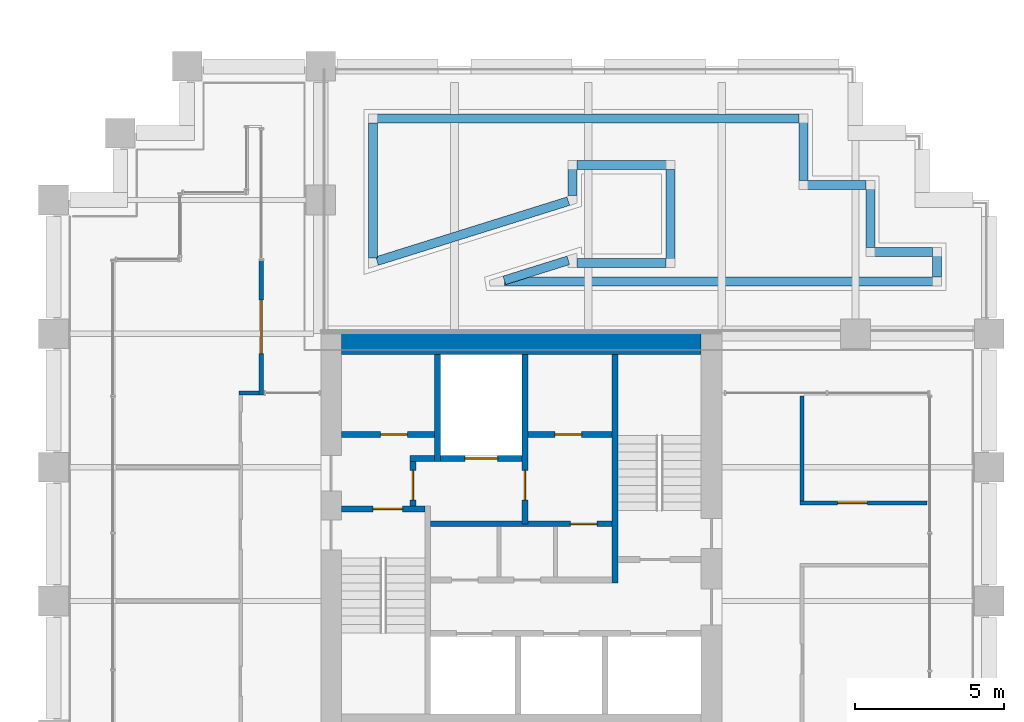
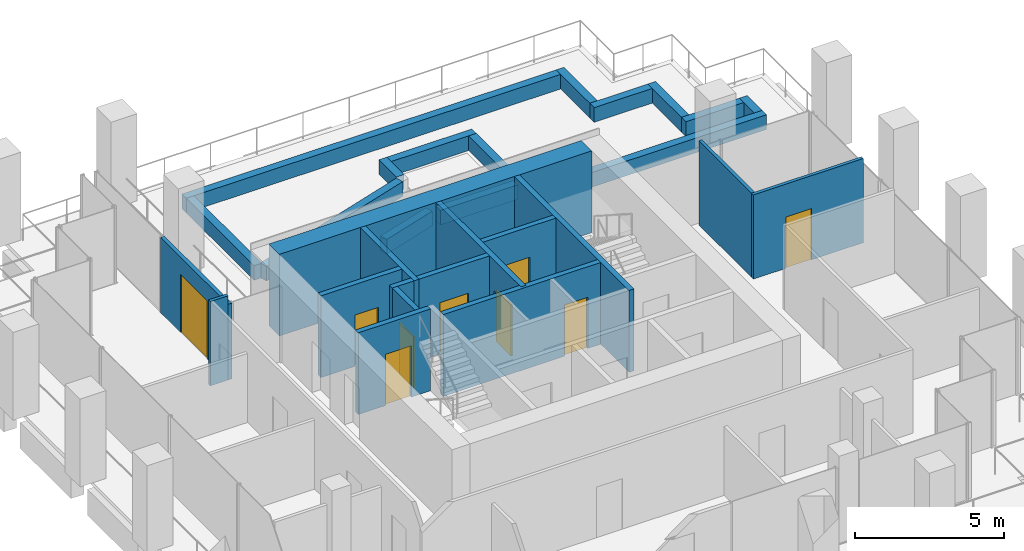
# One storey, part 48 of 52: 29 walls, 9 doors, 9 openings.
"""IFC4 building model written with IfcOpenShell, lengths in metres."""

from ifc_helpers import new_model, si_unit, direction, frame, frame_2d, origin, place, context, subcontext, project, spatial, rectangle, extrude, material, layer, layer_set, type_object, element, fill, save


model = new_model("IFC4")

# Units and contexts
model_context = context("Model", 3, precision=1e-05, world=origin(), true_north=direction((0.0, 1.0)))
body_context = subcontext(model_context, "Body", "Model", "MODEL_VIEW")
ifc_project = project(units=[si_unit("LENGTHUNIT", "METRE"), si_unit("AREAUNIT", "SQUARE_METRE"), si_unit("VOLUMEUNIT", "CUBIC_METRE"), si_unit("PLANEANGLEUNIT", "RADIAN"), si_unit("MASSUNIT", "GRAM", prefix="KILO")], contexts=[model_context])

# Site, building, storey
site_placement = place(None, origin())
site = spatial("IfcSite", under=ifc_project, at=site_placement, CompositionType="ELEMENT")
building_placement = place(site_placement, origin())
building = spatial("IfcBuilding", under=site, at=building_placement, Name="Altepetl Exchange Towers", CompositionType="ELEMENT")
storey_placement = place(building_placement, frame((0.0, 0.0, 92.0)))
storey = spatial("IfcBuildingStorey", under=building, at=storey_placement, Name="L22", CompositionType="ELEMENT", Elevation=92.0)

# Wall
ifc_material_1 = material(Name="Concrete C70/85", Category="concrete")
ifc_layer_1 = layer(ifc_material_1, 0.699951171875)
ifc_layer_set_1 = layer_set([ifc_layer_1], Name="Concrete C70/85")
wall_type_1 = type_object("IfcWallType", Name="Core wall 700 reinforced concrete external", PredefinedType="SHEAR", material=ifc_layer_set_1)
wall_1_placement = place(storey_placement, frame((104.199951171875, 49.14990234375, 0.0)))
element("IfcWall", 1, at=wall_1_placement, inside=storey, type_object=wall_type_1, Name="wall:B:L22:K-coreN", PredefinedType="SHEAR", context=body_context, shape_type="SweptSolid", body=[
    extrude(rectangle(XDim=12.10009765625, YDim=0.699951171875, at=frame_2d((6.050048828125, 0.0))), origin(), (0.0, 0.0, 1.0), 3.35009765625),
])

# Wall, opening, door
ifc_material_2 = material(Name="Aluminium composite cladding", Category="aluminium")
ifc_layer_2 = layer(ifc_material_2, 0.14990234375)
ifc_layer_set_2 = layer_set([ifc_layer_2], Name="Aluminium composite cladding")
wall_type_2 = type_object("IfcWallType", Name="Infill wall 150 aluminium panel", PredefinedType="SOLIDWALL", material=ifc_layer_set_2)
wall_2_placement = place(storey_placement, frame((101.5, 47.4375, 0.0), z_axis=(0.0, 0.0, 1.0), x_axis=(0.0, 1.0, 0.0)))
wall_2 = element("IfcWall", 2, at=wall_2_placement, inside=storey, type_object=wall_type_2, Name="Terrace door bay wall", PredefinedType="SOLIDWALL", context=body_context, shape_type="SweptSolid", body=[
    extrude(rectangle(XDim=4.52490234375, YDim=0.14990234375, at=frame_2d((2.262451171875, 0.0))), origin(), (0.0, 0.0, 1.0), 3.10009765625),
])
opening_1_placement = place(wall_2_placement, frame((1.393798828125, 0.0, 0.0)))
opening_1 = element("IfcOpeningElement", 3, at=opening_1_placement, cuts=wall_2, Name="Opening L22.B92", PredefinedType="OPENING", context=body_context, shape_type="SweptSolid", body=[
    extrude(rectangle(XDim=1.800048828125, YDim=2.39990234375, at=frame_2d((0.89990234375, 1.199951171875))), frame((0.0, 0.0849609375, 0.0), z_axis=(0.0, -1.0, 0.0), x_axis=(1.0, 0.0, 0.0)), (0.0, 0.0, 1.0), 0.169921875),
])
ifc_material_3 = material(Name="Aluminium 6063-T6 and glass", Category="aluminium")
door_type_1 = type_object("IfcDoorType", Name="Glazed door pair 1800x2400", OperationType="DOUBLE_DOOR_DOUBLE_SWING", PredefinedType="NOTDEFINED", material=ifc_material_3)
door_1_placement = place(opening_1_placement, frame((1.800048828125, 0.0, 0.0), x_axis=(-1.0, 0.0, 0.0)))
door_1 = element("IfcDoor", 4, at=door_1_placement, inside=storey, type_object=door_type_1, Name="Terrace door", OperationType="DOUBLE_DOOR_DOUBLE_SWING", OverallHeight=2.39990234375, OverallWidth=1.800048828125, PredefinedType="NOTDEFINED", context=body_context, shape_type="SweptSolid", body=[
    extrude(rectangle(XDim=1.800048828125, YDim=2.39990234375, at=frame_2d((0.89990234375, 1.199951171875))), frame((0.0, 0.02490234375, 0.0), z_axis=(0.0, -1.0, 0.0), x_axis=(1.0, 0.0, 0.0)), (0.0, 0.0, 1.0), 0.050048828125),
])
fill(opening_1, door_1)

# Wall
ifc_material_4 = material(Name="Concrete blockwork", Category="masonry")
ifc_layer_3 = layer(ifc_material_4, 0.199951171875)
ifc_layer_set_3 = layer_set([ifc_layer_3], Name="Concrete blockwork")
wall_type_3 = type_object("IfcWallType", Name="Lobby wall 200 blockwork", PredefinedType="PARTITIONING", material=ifc_layer_set_3)
wall_3_placement = place(storey_placement, frame((106.5, 45.300048828125, 0.0)))
element("IfcWall", 5, at=wall_3_placement, inside=storey, type_object=wall_type_3, Name="wall:B:L22:K-ffNw", PredefinedType="PARTITIONING", context=body_context, shape_type="SweptSolid", body=[
    extrude(rectangle(XDim=0.833251953125, YDim=0.199951171875, at=frame_2d((0.41650390625, 0.0))), origin(), (0.0, 0.0, 1.0), 3.35009765625),
])

# Wall, opening, door
wall_4_placement = place(storey_placement, frame((106.60009765625, 43.699951171875, 0.0), z_axis=(0.0, 0.0, 1.0), x_axis=(0.0, 1.0, 0.0)))
wall_4 = element("IfcWall", 6, at=wall_4_placement, inside=storey, type_object=wall_type_3, Name="wall:B:L22:K-ffW", PredefinedType="PARTITIONING", context=body_context, shape_type="SweptSolid", body=[
    extrude(rectangle(XDim=1.5, YDim=0.199951171875, at=frame_2d((0.75, 0.0))), origin(), (0.0, 0.0, 1.0), 3.35009765625),
])
opening_2_placement = place(wall_4_placement, frame((0.199951171875, 0.0, 0.0)))
opening_2 = element("IfcOpeningElement", 7, at=opening_2_placement, cuts=wall_4, Name="Opening L22.B67", PredefinedType="OPENING", context=body_context, shape_type="SweptSolid", body=[
    extrude(rectangle(XDim=1.0, YDim=2.10009765625, at=frame_2d((0.5, 1.050048828125))), frame((0.0, 0.10986328125, 0.0), z_axis=(0.0, -1.0, 0.0), x_axis=(1.0, 0.0, 0.0)), (0.0, 0.0, 1.0), 0.219970703125),
])
ifc_material_5 = material(Name="Steel and timber fire door", Category="steel")
door_type_2 = type_object("IfcDoorType", Name="Fire door 1000 x 2100 stair and lobby", OperationType="SINGLE_SWING_LEFT", PredefinedType="DOOR", material=ifc_material_5)
door_2_placement = place(opening_2_placement, frame((1.0, 0.0, 0.0), x_axis=(-1.0, 0.0, 0.0)))
door_2 = element("IfcDoor", 8, at=door_2_placement, inside=storey, type_object=door_type_2, Name="door:B:L22:K-dffW", OperationType="SINGLE_SWING_LEFT", OverallHeight=2.10009765625, OverallWidth=1.0, PredefinedType="DOOR", context=body_context, shape_type="SweptSolid", body=[
    extrude(rectangle(XDim=1.0, YDim=2.10009765625, at=frame_2d((0.5, 1.050048828125))), frame((0.0, 0.02490234375, 0.0), z_axis=(0.0, -1.0, 0.0), x_axis=(1.0, 0.0, 0.0)), (0.0, 0.0, 1.0), 0.050048828125),
])
fill(opening_2, door_2)

wall_5_placement = place(storey_placement, frame((107.199951171875, 43.10009765625, 0.0)))
wall_5 = element("IfcWall", 9, at=wall_5_placement, inside=storey, type_object=wall_type_3, Name="wall:B:L22:K-zoneN", PredefinedType="PARTITIONING", context=body_context, shape_type="SweptSolid", body=[
    extrude(rectangle(XDim=6.10009765625, YDim=0.199951171875, at=frame_2d((3.050048828125, 0.0))), origin(), (0.0, 0.0, 1.0), 3.35009765625),
])
opening_3_placement = place(wall_5_placement, frame((4.699951171875, 0.0, 0.0)))
opening_3 = element("IfcOpeningElement", 10, at=opening_3_placement, cuts=wall_5, Name="Opening L22.B72", PredefinedType="OPENING", context=body_context, shape_type="SweptSolid", body=[
    extrude(rectangle(XDim=0.89990234375, YDim=2.10009765625, at=frame_2d((0.449951171875, 1.050048828125))), frame((0.0, 0.10986328125, 0.0), z_axis=(0.0, -1.0, 0.0), x_axis=(1.0, 0.0, 0.0)), (0.0, 0.0, 1.0), 0.219970703125),
])
door_type_3 = type_object("IfcDoorType", Name="Fire door 900 x 2100 service room", OperationType="SINGLE_SWING_LEFT", PredefinedType="DOOR", material=ifc_material_5)
door_3_placement = place(opening_3_placement, frame((0.89990234375, 0.0, 0.0), x_axis=(-1.0, 0.0, 0.0)))
door_3 = element("IfcDoor", 11, at=door_3_placement, inside=storey, type_object=door_type_3, Name="door:B:L22:K-dz3", OperationType="SINGLE_SWING_RIGHT", OverallHeight=2.10009765625, OverallWidth=0.89990234375, PredefinedType="DOOR", context=body_context, shape_type="SweptSolid", body=[
    extrude(rectangle(XDim=0.89990234375, YDim=2.10009765625, at=frame_2d((0.449951171875, 1.050048828125))), frame((0.0, 0.02490234375, 0.0), z_axis=(0.0, -1.0, 0.0), x_axis=(1.0, 0.0, 0.0)), (0.0, 0.0, 1.0), 0.050048828125),
])
fill(opening_3, door_3)

ifc_material_6 = material(Name="Gypsum board on steel studs", Category="steel")
ifc_layer_4 = layer(ifc_material_6, 0.125)
ifc_layer_set_4 = layer_set([ifc_layer_4], Name="Gypsum board on steel studs")
wall_type_4 = type_object("IfcWallType", Name="Partition 125 gypsum board on steel studs", PredefinedType="PARTITIONING", material=ifc_layer_set_4)
wall_6_placement = place(storey_placement, frame((119.637451171875, 43.800048828125, 0.0)))
wall_6 = element("IfcWall", 12, at=wall_6_placement, inside=storey, type_object=wall_type_4, Name="wall:B:L22:P07", PredefinedType="PARTITIONING", context=body_context, shape_type="SweptSolid", body=[
    extrude(rectangle(XDim=4.262451171875, YDim=0.125, at=frame_2d((2.13134765625, 0.0))), origin(), (0.0, 0.0, 1.0), 3.449951171875),
])
opening_4_placement = place(wall_6_placement, frame((1.259521484375, 0.0, 0.0)))
opening_4 = element("IfcOpeningElement", 13, at=opening_4_placement, cuts=wall_6, Name="Opening L22.B08", PredefinedType="OPENING", context=body_context, shape_type="SweptSolid", body=[
    extrude(rectangle(XDim=1.0, YDim=2.10009765625, at=frame_2d((0.5, 1.050048828125))), frame((0.0, 0.072509765625, 0.0), z_axis=(0.0, -1.0, 0.0), x_axis=(1.0, 0.0, 0.0)), (0.0, 0.0, 1.0), 0.14501953125),
])
door_type_4 = type_object("IfcDoorType", Name="Fire door 1000 x 2100 single leaf", OperationType="SINGLE_SWING_LEFT", PredefinedType="DOOR", material=ifc_material_5)
door_4_placement = place(opening_4_placement, origin())
door_4 = element("IfcDoor", 14, at=door_4_placement, inside=storey, type_object=door_type_4, Name="door:B:L22:08", OperationType="SINGLE_SWING_LEFT", OverallHeight=2.10009765625, OverallWidth=1.0, PredefinedType="DOOR", context=body_context, shape_type="SweptSolid", body=[
    extrude(rectangle(XDim=1.0, YDim=2.10009765625, at=frame_2d((0.5, 1.050048828125))), frame((0.0, 0.02490234375, 0.0), z_axis=(0.0, -1.0, 0.0), x_axis=(1.0, 0.0, 0.0)), (0.0, 0.0, 1.0), 0.050048828125),
])
fill(opening_4, door_4)

# Walls
wall_7_placement = place(storey_placement, frame((100.737548828125, 47.5, 0.0)))
element("IfcWall", 15, at=wall_7_placement, inside=storey, type_object=wall_type_4, Name="wall:B:L22:P09", PredefinedType="PARTITIONING", context=body_context, shape_type="SweptSolid", body=[
    extrude(rectangle(XDim=0.6875, YDim=0.125, at=frame_2d((0.34375, 0.0))), origin(), (0.0, 0.0, 1.0), 3.449951171875),
])
wall_8_placement = place(storey_placement, frame((119.699951171875, 43.862548828125, 0.0), z_axis=(0.0, 0.0, 1.0), x_axis=(0.0, 1.0, 0.0)))
element("IfcWall", 16, at=wall_8_placement, inside=storey, type_object=wall_type_4, Name="wall:B:L22:P16", PredefinedType="PARTITIONING", context=body_context, shape_type="SweptSolid", body=[
    extrude(rectangle(XDim=3.537353515625, YDim=0.125, at=frame_2d((1.7685546875, 0.0))), origin(), (0.0, 0.0, 1.0), 3.449951171875),
])
ifc_material_7 = material(Name="Concrete C30/37", Category="concrete")
ifc_layer_5 = layer(ifc_material_7, 0.300048828125)
ifc_layer_set_5 = layer_set([ifc_layer_5], Name="Concrete C30/37")
wall_type_5 = type_object("IfcWallType", Name="Planter wall 300 concrete", PredefinedType="SOLIDWALL", material=ifc_layer_set_5)
wall_9_placement = place(storey_placement, frame((109.685302734375, 51.25, 0.0)))
element("IfcWall", 17, at=wall_9_placement, inside=storey, type_object=wall_type_5, Name="Planter bed wall", PredefinedType="SOLIDWALL", context=body_context, shape_type="SweptSolid", body=[
    extrude(rectangle(XDim=14.714599609375, YDim=0.300048828125, at=frame_2d((7.357421875, 0.0))), origin(), (0.0, 0.0, 1.0), 0.60009765625),
])
wall_10_placement = place(storey_placement, frame((124.25, 51.39990234375, 0.0), z_axis=(0.0, 0.0, 1.0), x_axis=(0.0, 1.0, 0.0)))
element("IfcWall", 18, at=wall_10_placement, inside=storey, type_object=wall_type_5, Name="Planter bed wall", PredefinedType="SOLIDWALL", context=body_context, shape_type="SweptSolid", body=[
    extrude(rectangle(XDim=1.0, YDim=0.300048828125, at=frame_2d((0.5, 0.0))), origin(), (0.0, 0.0, 1.0), 0.60009765625),
])
for number, where, z_axis, x_axis, name in (
    (19, (124.10009765625, 52.25, 0.0), (0.0, 0.0, 1.0), (-1.0, 0.0, 0.0), "Planter bed wall"),
    (20, (122.0, 52.39990234375, 0.0), (0.0, 0.0, 1.0), (0.0, 1.0, 0.0), "Planter bed wall"),
    (21, (121.85009765625, 54.5, 0.0), (0.0, 0.0, 1.0), (-1.0, 0.0, 0.0), "Planter bed wall"),
    (22, (119.75, 54.64990234375, 0.0), (0.0, 0.0, 1.0), (0.0, 1.0, 0.0), "Planter bed wall"),
):
    element("IfcWall", number, at=place(storey_placement, frame(where, z_axis=z_axis, x_axis=x_axis)), inside=storey, type_object=wall_type_5, Name=name, PredefinedType="SOLIDWALL", context=body_context, shape_type="SweptSolid", body=[
        extrude(rectangle(XDim=2.25, YDim=0.300048828125, at=frame_2d((1.125, 0.0))), origin(), (0.0, 0.0, 1.0), 0.60009765625),
    ])
wall_11_placement = place(storey_placement, frame((119.60009765625, 56.75, 0.0), z_axis=(0.0, 0.0, 1.0), x_axis=(-1.0, 0.0, 0.0)))
element("IfcWall", 23, at=wall_11_placement, inside=storey, type_object=wall_type_5, Name="Planter bed wall", PredefinedType="SOLIDWALL", context=body_context, shape_type="SweptSolid", body=[
    extrude(rectangle(XDim=14.5, YDim=0.300048828125, at=frame_2d((7.25, 0.0))), origin(), (0.0, 0.0, 1.0), 0.60009765625),
])
wall_12_placement = place(storey_placement, frame((105.25, 56.60009765625, 0.0), z_axis=(0.0, 0.0, 1.0), x_axis=(0.0, -1.0, 0.0)))
element("IfcWall", 24, at=wall_12_placement, inside=storey, type_object=wall_type_5, Name="Planter bed wall", PredefinedType="SOLIDWALL", context=body_context, shape_type="SweptSolid", body=[
    extrude(rectangle(XDim=4.550048828125, YDim=0.300048828125, at=frame_2d((2.27490234375, 0.0))), origin(), (0.0, 0.0, 1.0), 0.60009765625),
])
wall_13_placement = place(storey_placement, frame((105.39306640625, 51.94482421875, 0.0), z_axis=(0.0, 0.0, 1.0), x_axis=(0.95437238382, 0.298619076756, 0.0)))
element("IfcWall", 25, at=wall_13_placement, inside=storey, type_object=wall_type_5, Name="Planter bed wall", PredefinedType="SOLIDWALL", context=body_context, shape_type="SweptSolid", body=[
    extrude(rectangle(XDim=6.74658203125, YDim=0.300048828125, at=frame_2d((3.373291015625, 0.0))), origin(), (0.0, 0.0, 1.0), 0.60009765625),
])
wall_14_placement = place(storey_placement, frame((111.97509765625, 54.154296875, 0.0), z_axis=(0.0, 0.0, 1.0), x_axis=(0.0, 1.0, 0.0)))
element("IfcWall", 26, at=wall_14_placement, inside=storey, type_object=wall_type_5, Name="Planter bed wall", PredefinedType="SOLIDWALL", context=body_context, shape_type="SweptSolid", body=[
    extrude(rectangle(XDim=1.170654296875, YDim=0.300048828125, at=frame_2d((0.58544921875, 0.0))), origin(), (0.0, 0.0, 1.0), 0.60009765625),
])
wall_15_placement = place(storey_placement, frame((112.125, 55.175048828125, 0.0)))
element("IfcWall", 27, at=wall_15_placement, inside=storey, type_object=wall_type_5, Name="Planter bed wall", PredefinedType="SOLIDWALL", context=body_context, shape_type="SweptSolid", body=[
    extrude(rectangle(XDim=3.300048828125, YDim=0.300048828125, at=frame_2d((1.64990234375, 0.0))), origin(), (0.0, 0.0, 1.0), 0.60009765625),
])
wall_16_placement = place(storey_placement, frame((115.27490234375, 55.02490234375, 0.0), z_axis=(0.0, 0.0, 1.0), x_axis=(0.0, -1.0, 0.0)))
element("IfcWall", 28, at=wall_16_placement, inside=storey, type_object=wall_type_5, Name="Planter bed wall", PredefinedType="SOLIDWALL", context=body_context, shape_type="SweptSolid", body=[
    extrude(rectangle(XDim=3.2998046875, YDim=0.300048828125, at=frame_2d((1.64990234375, 0.0))), origin(), (0.0, 0.0, 1.0), 0.60009765625),
])
wall_17_placement = place(storey_placement, frame((115.125, 51.875, 0.0), z_axis=(0.0, 0.0, 1.0), x_axis=(-1.0, 0.0, 0.0)))
element("IfcWall", 29, at=wall_17_placement, inside=storey, type_object=wall_type_5, Name="Planter bed wall", PredefinedType="SOLIDWALL", context=body_context, shape_type="SweptSolid", body=[
    extrude(rectangle(XDim=3.0, YDim=0.300048828125, at=frame_2d((1.5, 0.0))), origin(), (0.0, 0.0, 1.0), 0.60009765625),
])
wall_18_placement = place(storey_placement, frame((111.831787109375, 51.968505859375, 0.0), z_axis=(0.0, 0.0, 1.0), x_axis=(-0.954364385547, -0.298644637654, 0.0)))
element("IfcWall", 30, at=wall_18_placement, inside=storey, type_object=wall_type_5, Name="Planter bed wall", PredefinedType="SOLIDWALL", context=body_context, shape_type="SweptSolid", body=[
    extrude(rectangle(XDim=2.25634765625, YDim=0.300048828125, at=frame_2d((1.128173828125, 0.0))), origin(), (0.0, 0.0, 1.0), 0.60009765625),
])
ifc_material_8 = material(Name="Concrete C40/50", Category="concrete")
ifc_layer_6 = layer(ifc_material_8, 0.199951171875)
ifc_layer_set_6 = layer_set([ifc_layer_6], Name="Concrete C40/50")
wall_type_6 = type_object("IfcWallType", Name="Shaft wall 200 reinforced concrete", PredefinedType="SHEAR", material=ifc_layer_set_6)
wall_19_placement = place(storey_placement, frame((107.433349609375, 48.800048828125, 0.0), z_axis=(0.0, 0.0, 1.0), x_axis=(0.0, -1.0, 0.0)))
element("IfcWall", 31, at=wall_19_placement, inside=storey, type_object=wall_type_6, Name="wall:B:L22:K-divN1", PredefinedType="SHEAR", context=body_context, shape_type="SweptSolid", body=[
    extrude(rectangle(XDim=3.60009765625, YDim=0.199951171875, at=frame_2d((1.800048828125, 0.0))), origin(), (0.0, 0.0, 1.0), 3.35009765625),
])

# Wall, opening, door
wall_20_placement = place(storey_placement, frame((110.36669921875, 48.800048828125, 0.0), z_axis=(0.0, 0.0, 1.0), x_axis=(0.0, -1.0, 0.0)))
wall_20 = element("IfcWall", 32, at=wall_20_placement, inside=storey, type_object=wall_type_6, Name="wall:B:L22:K-divN2", PredefinedType="SHEAR", context=body_context, shape_type="SweptSolid", body=[
    extrude(rectangle(XDim=5.699951171875, YDim=0.199951171875, at=frame_2d((2.85009765625, 0.0))), origin(), (0.0, 0.0, 1.0), 3.35009765625),
])
opening_5_placement = place(wall_20_placement, frame((3.89990234375, 0.0, 0.0)))
opening_5 = element("IfcOpeningElement", 33, at=opening_5_placement, cuts=wall_20, Name="Opening L22.B66", PredefinedType="OPENING", context=body_context, shape_type="SweptSolid", body=[
    extrude(rectangle(XDim=1.0, YDim=2.10009765625, at=frame_2d((0.5, 1.050048828125))), frame((0.0, 0.10986328125, 0.0), z_axis=(0.0, -1.0, 0.0), x_axis=(1.0, 0.0, 0.0)), (0.0, 0.0, 1.0), 0.219970703125),
])
door_5_placement = place(opening_5_placement, frame((1.0, 0.0, 0.0), x_axis=(-1.0, 0.0, 0.0)))
door_5 = element("IfcDoor", 34, at=door_5_placement, inside=storey, type_object=door_type_2, Name="door:B:L22:K-dffE", OperationType="SINGLE_SWING_RIGHT", OverallHeight=2.10009765625, OverallWidth=1.0, PredefinedType="DOOR", context=body_context, shape_type="SweptSolid", body=[
    extrude(rectangle(XDim=1.0, YDim=2.10009765625, at=frame_2d((0.5, 1.050048828125))), frame((0.0, 0.02490234375, 0.0), z_axis=(0.0, -1.0, 0.0), x_axis=(1.0, 0.0, 0.0)), (0.0, 0.0, 1.0), 0.050048828125),
])
fill(opening_5, door_5)

wall_21_placement = place(storey_placement, frame((104.199951171875, 46.10009765625, 0.0)))
wall_21 = element("IfcWall", 35, at=wall_21_placement, inside=storey, type_object=wall_type_6, Name="wall:B:L22:K-frontNa", PredefinedType="SHEAR", context=body_context, shape_type="SweptSolid", body=[
    extrude(rectangle(XDim=3.13330078125, YDim=0.199951171875, at=frame_2d((1.566650390625, 0.0))), origin(), (0.0, 0.0, 1.0), 3.35009765625),
])
opening_6_placement = place(wall_21_placement, frame((1.316650390625, 0.0, 0.0)))
opening_6 = element("IfcOpeningElement", 36, at=opening_6_placement, cuts=wall_21, Name="Opening L22.B68", PredefinedType="OPENING", context=body_context, shape_type="SweptSolid", body=[
    extrude(rectangle(XDim=0.89990234375, YDim=2.10009765625, at=frame_2d((0.449951171875, 1.050048828125))), frame((0.0, 0.10986328125, 0.0), z_axis=(0.0, -1.0, 0.0), x_axis=(1.0, 0.0, 0.0)), (0.0, 0.0, 1.0), 0.219970703125),
])
door_6_placement = place(opening_6_placement, origin())
door_6 = element("IfcDoor", 37, at=door_6_placement, inside=storey, type_object=door_type_3, Name="door:B:L22:K-dslotN0", OperationType="SINGLE_SWING_RIGHT", OverallHeight=2.10009765625, OverallWidth=0.89990234375, PredefinedType="DOOR", context=body_context, shape_type="SweptSolid", body=[
    extrude(rectangle(XDim=0.89990234375, YDim=2.10009765625, at=frame_2d((0.449951171875, 1.050048828125))), frame((0.0, 0.02490234375, 0.0), z_axis=(0.0, -1.0, 0.0), x_axis=(1.0, 0.0, 0.0)), (0.0, 0.0, 1.0), 0.050048828125),
])
fill(opening_6, door_6)

wall_22_placement = place(storey_placement, frame((110.466796875, 46.10009765625, 0.0)))
wall_22 = element("IfcWall", 38, at=wall_22_placement, inside=storey, type_object=wall_type_6, Name="wall:B:L22:K-frontNb", PredefinedType="SHEAR", context=body_context, shape_type="SweptSolid", body=[
    extrude(rectangle(XDim=2.833251953125, YDim=0.199951171875, at=frame_2d((1.41650390625, 0.0))), origin(), (0.0, 0.0, 1.0), 3.35009765625),
])
opening_7_placement = place(wall_22_placement, frame((0.91650390625, 0.0, 0.0)))
opening_7 = element("IfcOpeningElement", 39, at=opening_7_placement, cuts=wall_22, Name="Opening L22.B69", PredefinedType="OPENING", context=body_context, shape_type="SweptSolid", body=[
    extrude(rectangle(XDim=0.89990234375, YDim=2.10009765625, at=frame_2d((0.449951171875, 1.050048828125))), frame((0.0, 0.10986328125, 0.0), z_axis=(0.0, -1.0, 0.0), x_axis=(1.0, 0.0, 0.0)), (0.0, 0.0, 1.0), 0.219970703125),
])
door_7_placement = place(opening_7_placement, origin())
door_7 = element("IfcDoor", 40, at=door_7_placement, inside=storey, type_object=door_type_3, Name="door:B:L22:K-dslotN2", OperationType="SINGLE_SWING_RIGHT", OverallHeight=2.10009765625, OverallWidth=0.89990234375, PredefinedType="DOOR", context=body_context, shape_type="SweptSolid", body=[
    extrude(rectangle(XDim=0.89990234375, YDim=2.10009765625, at=frame_2d((0.449951171875, 1.050048828125))), frame((0.0, 0.02490234375, 0.0), z_axis=(0.0, -1.0, 0.0), x_axis=(1.0, 0.0, 0.0)), (0.0, 0.0, 1.0), 0.050048828125),
])
fill(opening_7, door_7)

wall_23_placement = place(storey_placement, frame((107.533203125, 45.300048828125, 0.0)))
wall_23 = element("IfcWall", 41, at=wall_23_placement, inside=storey, type_object=wall_type_6, Name="wall:B:L22:K-frontNd", PredefinedType="SHEAR", context=body_context, shape_type="SweptSolid", body=[
    extrude(rectangle(XDim=2.7333984375, YDim=0.199951171875, at=frame_2d((1.36669921875, 0.0))), origin(), (0.0, 0.0, 1.0), 3.35009765625),
])
opening_8_placement = place(wall_23_placement, frame((0.816650390625, 0.0, 0.0)))
opening_8 = element("IfcOpeningElement", 42, at=opening_8_placement, cuts=wall_23, Name="Opening L22.B73", PredefinedType="OPENING", context=body_context, shape_type="SweptSolid", body=[
    extrude(rectangle(XDim=1.10009765625, YDim=2.10009765625, at=frame_2d((0.550048828125, 1.050048828125))), frame((0.0, 0.10986328125, 0.0), z_axis=(0.0, -1.0, 0.0), x_axis=(1.0, 0.0, 0.0)), (0.0, 0.0, 1.0), 0.219970703125),
])
ifc_material_9 = material(Name="Stainless steel", Category="steel")
door_type_5 = type_object("IfcDoorType", Name="Lift landing door 1100 x 2100", OperationType="SLIDING_TO_LEFT", PredefinedType="DOOR", material=ifc_material_9)
door_8_placement = place(opening_8_placement, origin())
door_8 = element("IfcDoor", 43, at=door_8_placement, inside=storey, type_object=door_type_5, Name="Landing door FFL1", OperationType="SLIDING_TO_LEFT", OverallHeight=2.10009765625, OverallWidth=1.10009765625, PredefinedType="DOOR", context=body_context, shape_type="SweptSolid", body=[
    extrude(rectangle(XDim=1.10009765625, YDim=2.10009765625, at=frame_2d((0.550048828125, 1.050048828125))), frame((0.0, 0.02490234375, 0.0), z_axis=(0.0, -1.0, 0.0), x_axis=(1.0, 0.0, 0.0)), (0.0, 0.0, 1.0), 0.050048828125),
])
fill(opening_8, door_8)

ifc_layer_7 = layer(ifc_material_8, 0.199951171875)
ifc_layer_set_7 = layer_set([ifc_layer_7], Name="Concrete C40/50")
wall_type_7 = type_object("IfcWallType", Name="Stair wall 200 reinforced concrete", PredefinedType="SHEAR", material=ifc_layer_set_7)
wall_24_placement = place(storey_placement, frame((104.199951171875, 43.60009765625, 0.0)))
wall_24 = element("IfcWall", 44, at=wall_24_placement, inside=storey, type_object=wall_type_7, Name="wall:B:L22:K-stS1N", PredefinedType="SHEAR", context=body_context, shape_type="SweptSolid", body=[
    extrude(rectangle(XDim=2.800048828125, YDim=0.199951171875, at=frame_2d((1.39990234375, 0.0))), origin(), (0.0, 0.0, 1.0), 3.35009765625),
])
opening_9_placement = place(wall_24_placement, frame((1.050048828125, 0.0, 0.0)))
opening_9 = element("IfcOpeningElement", 45, at=opening_9_placement, cuts=wall_24, Name="Opening L22.B62", PredefinedType="OPENING", context=body_context, shape_type="SweptSolid", body=[
    extrude(rectangle(XDim=1.0, YDim=2.10009765625, at=frame_2d((0.5, 1.050048828125))), frame((0.0, 0.10986328125, 0.0), z_axis=(0.0, -1.0, 0.0), x_axis=(1.0, 0.0, 0.0)), (0.0, 0.0, 1.0), 0.219970703125),
])
door_9_placement = place(opening_9_placement, frame((1.0, 0.0, 0.0), x_axis=(-1.0, 0.0, 0.0)))
door_9 = element("IfcDoor", 46, at=door_9_placement, inside=storey, type_object=door_type_2, Name="door:B:L22:K-dS1in", OperationType="SINGLE_SWING_LEFT", OverallHeight=2.10009765625, OverallWidth=1.0, PredefinedType="DOOR", context=body_context, shape_type="SweptSolid", body=[
    extrude(rectangle(XDim=1.0, YDim=2.10009765625, at=frame_2d((0.5, 1.050048828125))), frame((0.0, 0.02490234375, 0.0), z_axis=(0.0, -1.0, 0.0), x_axis=(1.0, 0.0, 0.0)), (0.0, 0.0, 1.0), 0.050048828125),
])
fill(opening_9, door_9)

# Wall
wall_25_placement = place(storey_placement, frame((113.39990234375, 41.10009765625, 0.0), z_axis=(0.0, 0.0, 1.0), x_axis=(0.0, 1.0, 0.0)))
element("IfcWall", 47, at=wall_25_placement, inside=storey, type_object=wall_type_7, Name="wall:B:L22:K-stS2W", PredefinedType="SHEAR", context=body_context, shape_type="SweptSolid", body=[
    extrude(rectangle(XDim=7.699951171875, YDim=0.199951171875, at=frame_2d((3.85009765625, 0.0))), origin(), (0.0, 0.0, 1.0), 3.35009765625),
])

save(model, "model.ifc")
